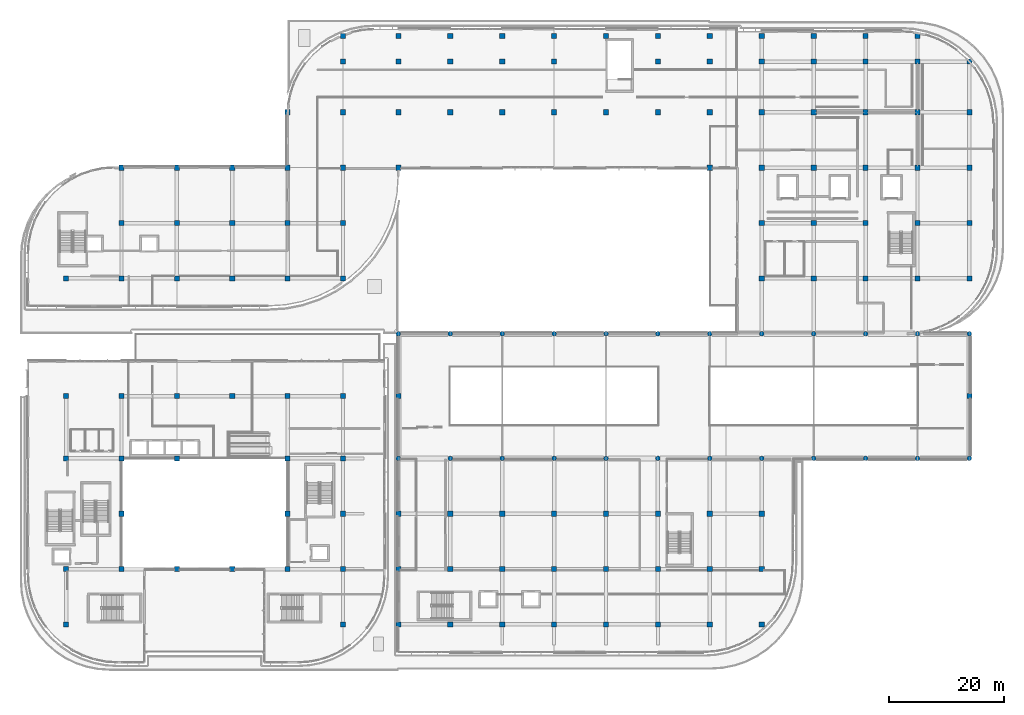
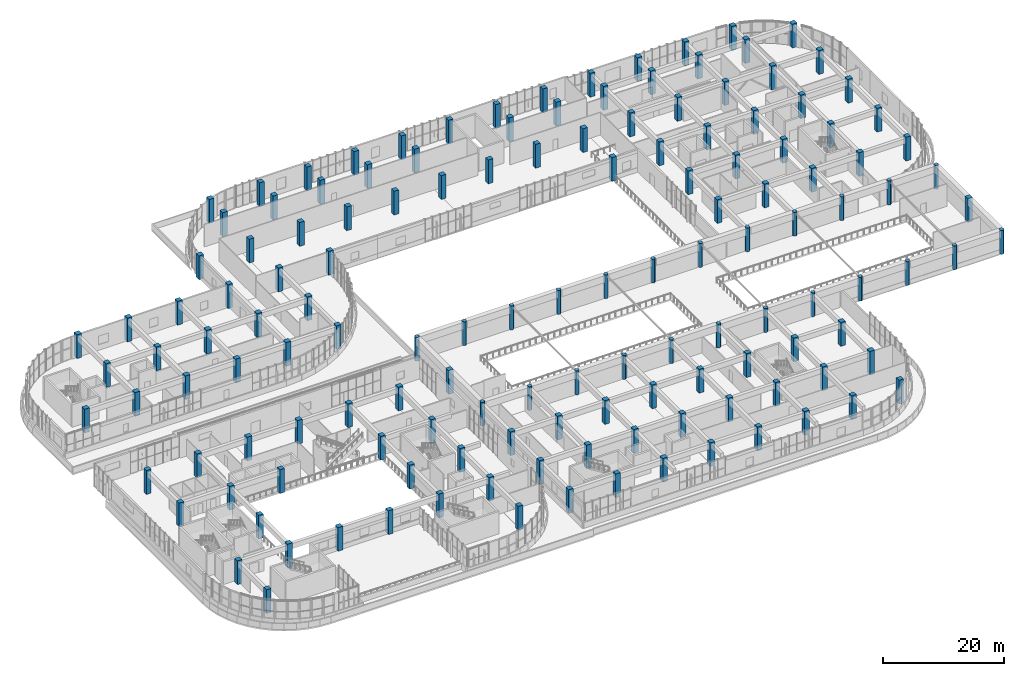
# One storey, part 1 of 96: 143 columns.
"""IFC4 building model written with IfcOpenShell, lengths in metres."""

from ifc_helpers import new_model, si_unit, direction, frame, origin, origin_2d, place, context, subcontext, project, spatial, rectangle, circle, extrude, material, material_profile, profile_set, type_object, element, save


model = new_model("IFC4")

# Units and contexts
model_context = context("Model", 3, precision=1e-05, world=origin(), true_north=direction((0.0, 1.0)))
body_context = subcontext(model_context, "Body", "Model", "MODEL_VIEW")
ifc_project = project(units=[si_unit("LENGTHUNIT", "METRE"), si_unit("AREAUNIT", "SQUARE_METRE"), si_unit("VOLUMEUNIT", "CUBIC_METRE"), si_unit("PLANEANGLEUNIT", "RADIAN"), si_unit("MASSUNIT", "GRAM", prefix="KILO")], contexts=[model_context])

# Site, building, storey
site_placement = place(None, origin())
site = spatial("IfcSite", under=ifc_project, at=site_placement, CompositionType="ELEMENT")
building_placement = place(site_placement, origin())
building = spatial("IfcBuilding", under=site, at=building_placement, Name="Cendralis Terraced Arcade", CompositionType="ELEMENT")
storey_placement = place(building_placement, frame((0.0, 0.0, 10.199951171875)))
storey = spatial("IfcBuildingStorey", under=building, at=storey_placement, Name="L02", CompositionType="ELEMENT", Elevation=10.199951171875)

# Columns
ifc_material = material(Name="Concrete f'c 42 MPa", Category="concrete")
ifc_material_profile_1 = material_profile(ifc_material, rectangle(XDim=0.89990234375, YDim=0.89990234375, at=origin_2d()), Name="RC-COL-900x900", Category="LoadBearing")
ifc_profile_set_1 = profile_set([ifc_material_profile_1], Name="Concrete f'c 42 MPa")
column_type_1 = type_object("IfcColumnType", Name="COL-900", PredefinedType="COLUMN", material=ifc_profile_set_1)
for number, where, z_axis, x_axis, name in (
    (1, (85.199951171875, 9.60009765625, 0.0), (0.0, 0.0, 1.0), (1.0, 0.0, 0.0), "Reinforced Concrete Column 10-B (L02)"),
    (2, (85.199951171875, 19.199951171875, 0.0), (0.0, 0.0, 1.0), (1.0, 0.0, 0.0), "Reinforced Concrete Column 10-C (L02)"),
    (3, (85.199951171875, 28.800048828125, 0.0), (0.0, 0.0, 1.0), (1.0, 0.0, 0.0), "Reinforced Concrete Column 10-D (L02)"),
    (4, (85.199951171875, 98.39990234375, 0.0), (0.0, 0.0, 1.0), (1.0, 0.0, 0.0), "Reinforced Concrete Column 10-L (L02)"),
    (5, (85.199951171875, 107.199951171875, 0.0), (0.0, 0.0, 1.0), (1.0, 0.0, 0.0), "Reinforced Concrete Column 10-M (L02)"),
    (6, (85.199951171875, 111.60009765625, 0.0), (0.0, 0.0, 1.0), (1.0, 0.0, 0.0), "Reinforced Concrete Column 10-N (L02)"),
    (7, (94.199951171875, 9.60009765625, 0.0), (0.0, 0.0, 1.0), (1.0, 0.0, 0.0), "Reinforced Concrete Column 11-B (L02)"),
    (8, (94.199951171875, 19.199951171875, 0.0), (0.0, 0.0, 1.0), (1.0, 0.0, 0.0), "Reinforced Concrete Column 11-C (L02)"),
    (9, (94.199951171875, 28.800048828125, 0.0), (0.0, 0.0, 1.0), (1.0, 0.0, 0.0), "Reinforced Concrete Column 11-D (L02)"),
    (10, (94.199951171875, 98.39990234375, 0.0), (0.0, 0.0, 1.0), (1.0, 0.0, 0.0), "Reinforced Concrete Column 11-L (L02)"),
    (11, (94.199951171875, 107.199951171875, 0.0), (0.0, 0.0, 1.0), (1.0, 0.0, 0.0), "Reinforced Concrete Column 11-M (L02)"),
    (12, (94.199951171875, 111.60009765625, 0.0), (0.0, 0.0, 1.0), (1.0, 0.0, 0.0), "Reinforced Concrete Column 11-N (L02)"),
    (13, (103.199951171875, 9.60009765625, 0.0), (0.0, 0.0, 1.0), (1.0, 0.0, 0.0), "Reinforced Concrete Column 12-B (L02)"),
    (14, (103.199951171875, 19.199951171875, 0.0), (0.0, 0.0, 1.0), (1.0, 0.0, 0.0), "Reinforced Concrete Column 12-C (L02)"),
    (15, (103.199951171875, 28.800048828125, 0.0), (0.0, 0.0, 1.0), (1.0, 0.0, 0.0), "Reinforced Concrete Column 12-D (L02)"),
    (16, (103.199951171875, 98.39990234375, 0.0), (0.0, 0.0, 1.0), (1.0, 0.0, 0.0), "Reinforced Concrete Column 12-L (L02)"),
    (17, (103.199951171875, 111.60009765625, 0.0), (0.0, 0.0, 1.0), (1.0, 0.0, 0.0), "Reinforced Concrete Column 12-N (L02)"),
    (18, (112.199951171875, 9.60009765625, 0.0), (0.0, 0.0, 1.0), (1.0, 0.0, 0.0), "Reinforced Concrete Column 13-B (L02)"),
    (19, (112.199951171875, 19.199951171875, 0.0), (0.0, 0.0, 1.0), (1.0, 0.0, 0.0), "Reinforced Concrete Column 13-C (L02)"),
    (20, (112.199951171875, 28.800048828125, 0.0), (0.0, 0.0, 1.0), (1.0, 0.0, 0.0), "Reinforced Concrete Column 13-D (L02)"),
    (21, (112.199951171875, 98.39990234375, 0.0), (0.0, 0.0, 1.0), (1.0, 0.0, 0.0), "Reinforced Concrete Column 13-L (L02)"),
    (22, (112.199951171875, 107.199951171875, 0.0), (0.0, 0.0, 1.0), (1.0, 0.0, 0.0), "Reinforced Concrete Column 13-M (L02)"),
    (23, (112.199951171875, 111.60009765625, 0.0), (0.0, 0.0, 1.0), (1.0, 0.0, 0.0), "Reinforced Concrete Column 13-N (L02)"),
    (24, (121.199951171875, 9.60009765625, 0.0), (0.0, 0.0, 1.0), (1.0, 0.0, 0.0), "Reinforced Concrete Column 14-B (L02)"),
    (25, (121.199951171875, 19.199951171875, 0.0), (0.0, 0.0, 1.0), (1.0, 0.0, 0.0), "Reinforced Concrete Column 14-C (L02)"),
    (26, (121.199951171875, 28.800048828125, 0.0), (0.0, 0.0, 1.0), (1.0, 0.0, 0.0), "Reinforced Concrete Column 14-D (L02)"),
    (27, (121.199951171875, 88.800048828125, 0.0), (0.0, 0.0, 1.0), (1.0, 0.0, 0.0), "Reinforced Concrete Column 14-K (L02)"),
    (28, (121.199951171875, 98.39990234375, 0.0), (0.0, 0.0, 1.0), (1.0, 0.0, 0.0), "Reinforced Concrete Column 14-L (L02)"),
    (29, (121.199951171875, 107.199951171875, 0.0), (0.0, 0.0, 1.0), (1.0, 0.0, 0.0), "Reinforced Concrete Column 14-M (L02)"),
    (30, (121.199951171875, 111.60009765625, 0.0), (0.0, 0.0, 1.0), (1.0, 0.0, 0.0), "Reinforced Concrete Column 14-N (L02)"),
    (31, (130.199951171875, 9.60009765625, 0.0), (0.0, 0.0, 1.0), (1.0, 0.0, 0.0), "Reinforced Concrete Column 15-B (L02)"),
    (32, (130.199951171875, 19.199951171875, 0.0), (0.0, 0.0, 1.0), (1.0, 0.0, 0.0), "Reinforced Concrete Column 15-C (L02)"),
    (33, (130.199951171875, 28.800048828125, 0.0), (0.0, 0.0, 1.0), (1.0, 0.0, 0.0), "Reinforced Concrete Column 15-D (L02)"),
    (34, (130.199951171875, 69.60009765625, 0.0), (0.0, 0.0, 1.0), (1.0, 0.0, 0.0), "Reinforced Concrete Column 15-H (L02)"),
    (35, (130.199951171875, 79.199951171875, 0.0), (0.0, 0.0, 1.0), (1.0, 0.0, 0.0), "Reinforced Concrete Column 15-J (L02)"),
    (36, (130.199951171875, 88.800048828125, 0.0), (0.0, 0.0, 1.0), (1.0, 0.0, 0.0), "Reinforced Concrete Column 15-K (L02)"),
    (37, (130.199951171875, 98.39990234375, 0.0), (0.0, 0.0, 1.0), (1.0, 0.0, 0.0), "Reinforced Concrete Column 15-L (L02)"),
    (38, (130.199951171875, 107.199951171875, 0.0), (0.0, 0.0, 1.0), (1.0, 0.0, 0.0), "Reinforced Concrete Column 15-M (L02)"),
    (39, (130.199951171875, 111.60009765625, 0.0), (0.0, 0.0, 1.0), (1.0, 0.0, 0.0), "Reinforced Concrete Column 15-N (L02)"),
    (40, (139.199951171875, 69.60009765625, 0.0), (0.0, 0.0, 1.0), (1.0, 0.0, 0.0), "Reinforced Concrete Column 16-H (L02)"),
    (41, (139.199951171875, 79.199951171875, 0.0), (0.0, 0.0, 1.0), (1.0, 0.0, 0.0), "Reinforced Concrete Column 16-J (L02)"),
    (42, (139.199951171875, 88.800048828125, 0.0), (0.0, 0.0, 1.0), (1.0, 0.0, 0.0), "Reinforced Concrete Column 16-K (L02)"),
    (43, (139.199951171875, 98.39990234375, 0.0), (0.0, 0.0, 1.0), (1.0, 0.0, 0.0), "Reinforced Concrete Column 16-L (L02)"),
    (44, (139.199951171875, 107.199951171875, 0.0), (0.0, 0.0, 1.0), (1.0, 0.0, 0.0), "Reinforced Concrete Column 16-M (L02)"),
    (45, (139.199951171875, 111.60009765625, 0.0), (0.0, 0.0, 1.0), (1.0, 0.0, 0.0), "Reinforced Concrete Column 16-N (L02)"),
    (46, (148.199951171875, 69.60009765625, 0.0), (0.0, 0.0, 1.0), (1.0, 0.0, 0.0), "Reinforced Concrete Column 17-H (L02)"),
    (47, (148.199951171875, 79.199951171875, 0.0), (0.0, 0.0, 1.0), (1.0, 0.0, 0.0), "Reinforced Concrete Column 17-J (L02)"),
    (48, (148.199951171875, 88.800048828125, 0.0), (0.0, 0.0, 1.0), (1.0, 0.0, 0.0), "Reinforced Concrete Column 17-K (L02)"),
    (49, (148.199951171875, 98.39990234375, 0.0), (0.0, 0.0, 1.0), (1.0, 0.0, 0.0), "Reinforced Concrete Column 17-L (L02)"),
    (50, (148.199951171875, 107.199951171875, 0.0), (0.0, 0.0, 1.0), (1.0, 0.0, 0.0), "Reinforced Concrete Column 17-M (L02)"),
    (51, (148.199951171875, 111.60009765625, 0.0), (0.0, 0.0, 1.0), (1.0, 0.0, 0.0), "Reinforced Concrete Column 17-N (L02)"),
    (52, (157.199951171875, 69.60009765625, 0.0), (0.0, 0.0, 1.0), (1.0, 0.0, 0.0), "Reinforced Concrete Column 18-H (L02)"),
    (53, (157.199951171875, 79.199951171875, 0.0), (0.0, 0.0, 1.0), (1.0, 0.0, 0.0), "Reinforced Concrete Column 18-J (L02)"),
    (54, (157.199951171875, 88.800048828125, 0.0), (0.0, 0.0, 1.0), (1.0, 0.0, 0.0), "Reinforced Concrete Column 18-K (L02)"),
    (55, (157.199951171875, 98.39990234375, 0.0), (0.0, 0.0, 1.0), (1.0, 0.0, 0.0), "Reinforced Concrete Column 18-L (L02)"),
    (56, (157.199951171875, 107.199951171875, 0.0), (0.0, 0.0, 1.0), (1.0, 0.0, 0.0), "Reinforced Concrete Column 18-M (L02)"),
    (57, (157.199951171875, 111.60009765625, 0.0), (0.0, 0.0, 1.0), (1.0, 0.0, 0.0), "Reinforced Concrete Column 18-N (L02)"),
    (58, (166.199951171875, 49.199951171875, 0.0), (0.0, 0.0, 1.0), (1.0, 0.0, 0.0), "Reinforced Concrete Column 19-F (L02)"),
    (59, (166.199951171875, 69.60009765625, 0.0), (0.0, 0.0, 1.0), (1.0, 0.0, 0.0), "Reinforced Concrete Column 19-H (L02)"),
    (60, (166.199951171875, 79.199951171875, 0.0), (0.0, 0.0, 1.0), (1.0, 0.0, 0.0), "Reinforced Concrete Column 19-J (L02)"),
    (61, (166.199951171875, 88.800048828125, 0.0), (0.0, 0.0, 1.0), (1.0, 0.0, 0.0), "Reinforced Concrete Column 19-K (L02)"),
    (62, (166.199951171875, 98.39990234375, 0.0), (0.0, 0.0, 1.0), (1.0, 0.0, 0.0), "Reinforced Concrete Column 19-L (L02)"),
    (63, (166.199951171875, 107.199951171875, 0.0), (0.0, 0.0, 1.0), (1.0, 0.0, 0.0), "Reinforced Concrete Column 19-M (L02)"),
    (64, (9.60009765625, 9.60009765625, 0.0), (0.0, 0.0, 1.0), (1.0, 0.0, 0.0), "Reinforced Concrete Column 2-B (L02)"),
    (65, (9.60009765625, 19.199951171875, 0.0), (0.0, 0.0, 1.0), (1.0, 0.0, 0.0), "Reinforced Concrete Column 2-C (L02)"),
    (66, (9.60009765625, 38.39990234375, 0.0), (0.0, 0.0, 1.0), (1.0, 0.0, 0.0), "Reinforced Concrete Column 2-E (L02)"),
    (67, (9.60009765625, 49.199951171875, 0.0), (0.0, 0.0, 1.0), (1.0, 0.0, 0.0), "Reinforced Concrete Column 2-F (L02)"),
    (68, (9.60009765625, 69.60009765625, 0.0), (0.0, 0.0, 1.0), (1.0, 0.0, 0.0), "Reinforced Concrete Column 2-H (L02)"),
    (69, (19.199951171875, 19.199951171875, 0.0), (0.0, 0.0, 1.0), (1.0, 0.0, 0.0), "Reinforced Concrete Column 3-C (L02)"),
    (70, (19.199951171875, 28.800048828125, 0.0), (0.0, 0.0, 1.0), (1.0, 0.0, 0.0), "Reinforced Concrete Column 3-D (L02)"),
    (71, (19.199951171875, 38.39990234375, 0.0), (0.0, 0.0, 1.0), (1.0, 0.0, 0.0), "Reinforced Concrete Column 3-E (L02)"),
    (72, (19.199951171875, 49.199951171875, 0.0), (0.0, 0.0, 1.0), (1.0, 0.0, 0.0), "Reinforced Concrete Column 3-F (L02)"),
    (73, (19.199951171875, 69.60009765625, 0.0), (0.0, 0.0, 1.0), (1.0, 0.0, 0.0), "Reinforced Concrete Column 3-H (L02)"),
    (74, (19.199951171875, 79.199951171875, 0.0), (0.0, 0.0, 1.0), (1.0, 0.0, 0.0), "Reinforced Concrete Column 3-J (L02)"),
    (75, (19.199951171875, 88.800048828125, 0.0), (0.0, 0.0, 1.0), (1.0, 0.0, 0.0), "Reinforced Concrete Column 3-K (L02)"),
    (76, (28.800048828125, 19.199951171875, 0.0), (0.0, 0.0, 1.0), (1.0, 0.0, 0.0), "Reinforced Concrete Column 4-C (L02)"),
    (77, (28.800048828125, 38.39990234375, 0.0), (0.0, 0.0, 1.0), (1.0, 0.0, 0.0), "Reinforced Concrete Column 4-E (L02)"),
    (78, (28.800048828125, 49.199951171875, 0.0), (0.0, 0.0, 1.0), (1.0, 0.0, 0.0), "Reinforced Concrete Column 4-F (L02)"),
    (79, (28.800048828125, 69.60009765625, 0.0), (0.0, 0.0, 1.0), (1.0, 0.0, 0.0), "Reinforced Concrete Column 4-H (L02)"),
    (80, (28.800048828125, 79.199951171875, 0.0), (0.0, 0.0, 1.0), (1.0, 0.0, 0.0), "Reinforced Concrete Column 4-J (L02)"),
    (81, (28.800048828125, 88.800048828125, 0.0), (0.0, 0.0, 1.0), (1.0, 0.0, 0.0), "Reinforced Concrete Column 4-K (L02)"),
    (82, (38.39990234375, 19.199951171875, 0.0), (0.0, 0.0, 1.0), (1.0, 0.0, 0.0), "Reinforced Concrete Column 5-C (L02)"),
    (83, (38.39990234375, 49.199951171875, 0.0), (0.0, 0.0, 1.0), (1.0, 0.0, 0.0), "Reinforced Concrete Column 5-F (L02)"),
    (84, (38.39990234375, 69.60009765625, 0.0), (0.0, 0.0, 1.0), (1.0, 0.0, 0.0), "Reinforced Concrete Column 5-H (L02)"),
    (85, (38.39990234375, 79.199951171875, 0.0), (0.0, 0.0, 1.0), (1.0, 0.0, 0.0), "Reinforced Concrete Column 5-J (L02)"),
    (86, (38.39990234375, 88.800048828125, 0.0), (0.0, 0.0, 1.0), (1.0, 0.0, 0.0), "Reinforced Concrete Column 5-K (L02)"),
    (87, (48.0, 19.199951171875, 0.0), (0.0, 0.0, 1.0), (1.0, 0.0, 0.0), "Reinforced Concrete Column 6-C (L02)"),
    (88, (48.0, 28.800048828125, 0.0), (0.0, 0.0, 1.0), (1.0, 0.0, 0.0), "Reinforced Concrete Column 6-D (L02)"),
    (89, (48.0, 38.39990234375, 0.0), (0.0, 0.0, 1.0), (1.0, 0.0, 0.0), "Reinforced Concrete Column 6-E (L02)"),
    (90, (48.0, 49.199951171875, 0.0), (0.0, 0.0, 1.0), (1.0, 0.0, 0.0), "Reinforced Concrete Column 6-F (L02)"),
    (91, (48.0, 69.60009765625, 0.0), (0.0, 0.0, 1.0), (1.0, 0.0, 0.0), "Reinforced Concrete Column 6-H (L02)"),
    (92, (48.0, 79.199951171875, 0.0), (0.0, 0.0, 1.0), (1.0, 0.0, 0.0), "Reinforced Concrete Column 6-J (L02)"),
    (93, (48.0, 88.800048828125, 0.0), (0.0, 0.0, 1.0), (1.0, 0.0, 0.0), "Reinforced Concrete Column 6-K (L02)"),
    (94, (48.0, 98.39990234375, 0.0), (0.0, 0.0, 1.0), (1.0, 0.0, 0.0), "Reinforced Concrete Column 6-L (L02)"),
    (95, (57.60009765625, 9.60009765625, 0.0), (0.0, 0.0, 1.0), (1.0, 0.0, 0.0), "Reinforced Concrete Column 7-B (L02)"),
    (96, (57.60009765625, 19.199951171875, 0.0), (0.0, 0.0, 1.0), (1.0, 0.0, 0.0), "Reinforced Concrete Column 7-C (L02)"),
    (97, (57.60009765625, 28.800048828125, 0.0), (0.0, 0.0, 1.0), (1.0, 0.0, 0.0), "Reinforced Concrete Column 7-D (L02)"),
    (98, (57.60009765625, 38.39990234375, 0.0), (0.0, 0.0, 1.0), (1.0, 0.0, 0.0), "Reinforced Concrete Column 7-E (L02)"),
    (99, (57.60009765625, 49.199951171875, 0.0), (0.0, 0.0, 1.0), (1.0, 0.0, 0.0), "Reinforced Concrete Column 7-F (L02)"),
    (100, (57.60009765625, 69.60009765625, 0.0), (0.0, 0.0, 1.0), (1.0, 0.0, 0.0), "Reinforced Concrete Column 7-H (L02)"),
    (101, (57.60009765625, 79.199951171875, 0.0), (0.0, 0.0, 1.0), (1.0, 0.0, 0.0), "Reinforced Concrete Column 7-J (L02)"),
    (102, (57.60009765625, 88.800048828125, 0.0), (0.0, 0.0, 1.0), (1.0, 0.0, 0.0), "Reinforced Concrete Column 7-K (L02)"),
    (103, (57.60009765625, 98.39990234375, 0.0), (0.0, 0.0, 1.0), (1.0, 0.0, 0.0), "Reinforced Concrete Column 7-L (L02)"),
    (104, (57.60009765625, 107.199951171875, 0.0), (0.0, 0.0, 1.0), (1.0, 0.0, 0.0), "Reinforced Concrete Column 7-M (L02)"),
    (105, (57.60009765625, 111.60009765625, 0.0), (0.0, 0.0, 1.0), (1.0, 0.0, 0.0), "Reinforced Concrete Column 7-N (L02)"),
    (106, (67.199951171875, 9.60009765625, 0.0), (0.0, 0.0, 1.0), (1.0, 0.0, 0.0), "Reinforced Concrete Column 8-B (L02)"),
    (107, (67.199951171875, 19.199951171875, 0.0), (0.0, 0.0, 1.0), (1.0, 0.0, 0.0), "Reinforced Concrete Column 8-C (L02)"),
    (108, (67.199951171875, 28.800048828125, 0.0), (0.0, 0.0, 1.0), (1.0, 0.0, 0.0), "Reinforced Concrete Column 8-D (L02)"),
    (109, (67.199951171875, 49.199951171875, 0.0), (0.0, 0.0, 1.0), (1.0, 0.0, 0.0), "Reinforced Concrete Column 8-F (L02)"),
    (110, (67.199951171875, 88.800048828125, 0.0), (0.0, 0.0, 1.0), (1.0, 0.0, 0.0), "Reinforced Concrete Column 8-K (L02)"),
    (111, (67.199951171875, 98.39990234375, 0.0), (0.0, 0.0, 1.0), (1.0, 0.0, 0.0), "Reinforced Concrete Column 8-L (L02)"),
    (112, (67.199951171875, 107.199951171875, 0.0), (0.0, 0.0, 1.0), (1.0, 0.0, 0.0), "Reinforced Concrete Column 8-M (L02)"),
    (113, (67.199951171875, 111.60009765625, 0.0), (0.0, 0.0, 1.0), (1.0, 0.0, 0.0), "Reinforced Concrete Column 8-N (L02)"),
    (114, (76.199951171875, 9.60009765625, 0.0), (0.0, 0.0, 1.0), (1.0, 0.0, 0.0), "Reinforced Concrete Column 9-B (L02)"),
    (115, (76.199951171875, 19.199951171875, 0.0), (0.0, 0.0, 1.0), (1.0, 0.0, 0.0), "Reinforced Concrete Column 9-C (L02)"),
    (116, (76.199951171875, 28.800048828125, 0.0), (0.0, 0.0, 1.0), (1.0, 0.0, 0.0), "Reinforced Concrete Column 9-D (L02)"),
    (117, (76.199951171875, 98.39990234375, 0.0), (0.0, 0.0, 1.0), (1.0, 0.0, 0.0), "Reinforced Concrete Column 9-L (L02)"),
    (118, (76.199951171875, 107.199951171875, 0.0), (0.0, 0.0, 1.0), (1.0, 0.0, 0.0), "Reinforced Concrete Column 9-M (L02)"),
    (119, (76.199951171875, 111.60009765625, 0.0), (0.0, 0.0, 1.0), (1.0, 0.0, 0.0), "Reinforced Concrete Column 9-N (L02)"),
):
    element("IfcColumn", number, at=place(storey_placement, frame(where, z_axis=z_axis, x_axis=x_axis)), inside=storey, type_object=column_type_1, Name=name, PredefinedType="COLUMN", context=body_context, shape_type="SweptSolid", body=[
        extrude(rectangle(XDim=0.89990234375, YDim=0.89990234375, at=origin_2d()), origin(), (0.0, 0.0, 1.0), 4.800048828125),
    ])
ifc_material_profile_2 = material_profile(ifc_material, circle(Radius=0.39990234375, at=origin_2d()), Name="RC-COL-D800", Category="LoadBearing")
ifc_profile_set_2 = profile_set([ifc_material_profile_2], Name="Concrete f'c 42 MPa")
column_type_2 = type_object("IfcColumnType", Name="COL-D800", PredefinedType="COLUMN", material=ifc_profile_set_2)
for number, where, z_axis, x_axis, name in (
    (120, (85.199951171875, 38.39990234375, 0.0), (0.0, 0.0, 1.0), (1.0, 0.0, 0.0), "Reinforced Concrete Column 10-E (L02)"),
    (121, (85.199951171875, 60.0, 0.0), (0.0, 0.0, 1.0), (1.0, 0.0, 0.0), "Reinforced Concrete Column 10-G (L02)"),
    (122, (94.199951171875, 38.39990234375, 0.0), (0.0, 0.0, 1.0), (1.0, 0.0, 0.0), "Reinforced Concrete Column 11-E (L02)"),
    (123, (94.199951171875, 60.0, 0.0), (0.0, 0.0, 1.0), (1.0, 0.0, 0.0), "Reinforced Concrete Column 11-G (L02)"),
    (124, (103.199951171875, 38.39990234375, 0.0), (0.0, 0.0, 1.0), (1.0, 0.0, 0.0), "Reinforced Concrete Column 12-E (L02)"),
    (125, (103.199951171875, 60.0, 0.0), (0.0, 0.0, 1.0), (1.0, 0.0, 0.0), "Reinforced Concrete Column 12-G (L02)"),
    (126, (112.199951171875, 38.39990234375, 0.0), (0.0, 0.0, 1.0), (1.0, 0.0, 0.0), "Reinforced Concrete Column 13-E (L02)"),
    (127, (112.199951171875, 60.0, 0.0), (0.0, 0.0, 1.0), (1.0, 0.0, 0.0), "Reinforced Concrete Column 13-G (L02)"),
    (128, (121.199951171875, 38.39990234375, 0.0), (0.0, 0.0, 1.0), (1.0, 0.0, 0.0), "Reinforced Concrete Column 14-E (L02)"),
    (129, (121.199951171875, 60.0, 0.0), (0.0, 0.0, 1.0), (1.0, 0.0, 0.0), "Reinforced Concrete Column 14-G (L02)"),
    (130, (130.199951171875, 38.39990234375, 0.0), (0.0, 0.0, 1.0), (1.0, 0.0, 0.0), "Reinforced Concrete Column 15-E (L02)"),
    (131, (130.199951171875, 60.0, 0.0), (0.0, 0.0, 1.0), (1.0, 0.0, 0.0), "Reinforced Concrete Column 15-G (L02)"),
    (132, (139.199951171875, 38.39990234375, 0.0), (0.0, 0.0, 1.0), (1.0, 0.0, 0.0), "Reinforced Concrete Column 16-E (L02)"),
    (133, (139.199951171875, 60.0, 0.0), (0.0, 0.0, 1.0), (1.0, 0.0, 0.0), "Reinforced Concrete Column 16-G (L02)"),
    (134, (148.199951171875, 38.39990234375, 0.0), (0.0, 0.0, 1.0), (1.0, 0.0, 0.0), "Reinforced Concrete Column 17-E (L02)"),
    (135, (148.199951171875, 60.0, 0.0), (0.0, 0.0, 1.0), (1.0, 0.0, 0.0), "Reinforced Concrete Column 17-G (L02)"),
    (136, (157.199951171875, 38.39990234375, 0.0), (0.0, 0.0, 1.0), (1.0, 0.0, 0.0), "Reinforced Concrete Column 18-E (L02)"),
    (137, (157.199951171875, 60.0, 0.0), (0.0, 0.0, 1.0), (1.0, 0.0, 0.0), "Reinforced Concrete Column 18-G (L02)"),
    (138, (166.199951171875, 38.39990234375, 0.0), (0.0, 0.0, 1.0), (1.0, 0.0, 0.0), "Reinforced Concrete Column 19-E (L02)"),
    (139, (166.199951171875, 60.0, 0.0), (0.0, 0.0, 1.0), (1.0, 0.0, 0.0), "Reinforced Concrete Column 19-G (L02)"),
    (140, (67.199951171875, 38.39990234375, 0.0), (0.0, 0.0, 1.0), (1.0, 0.0, 0.0), "Reinforced Concrete Column 8-E (L02)"),
    (141, (67.199951171875, 60.0, 0.0), (0.0, 0.0, 1.0), (1.0, 0.0, 0.0), "Reinforced Concrete Column 8-G (L02)"),
    (142, (76.199951171875, 38.39990234375, 0.0), (0.0, 0.0, 1.0), (1.0, 0.0, 0.0), "Reinforced Concrete Column 9-E (L02)"),
    (143, (76.199951171875, 60.0, 0.0), (0.0, 0.0, 1.0), (1.0, 0.0, 0.0), "Reinforced Concrete Column 9-G (L02)"),
):
    element("IfcColumn", number, at=place(storey_placement, frame(where, z_axis=z_axis, x_axis=x_axis)), inside=storey, type_object=column_type_2, Name=name, PredefinedType="COLUMN", context=body_context, shape_type="SweptSolid", body=[
        extrude(circle(Radius=0.39990234375, at=origin_2d()), origin(), (0.0, 0.0, 1.0), 4.800048828125),
    ])

save(model, "model.ifc")
